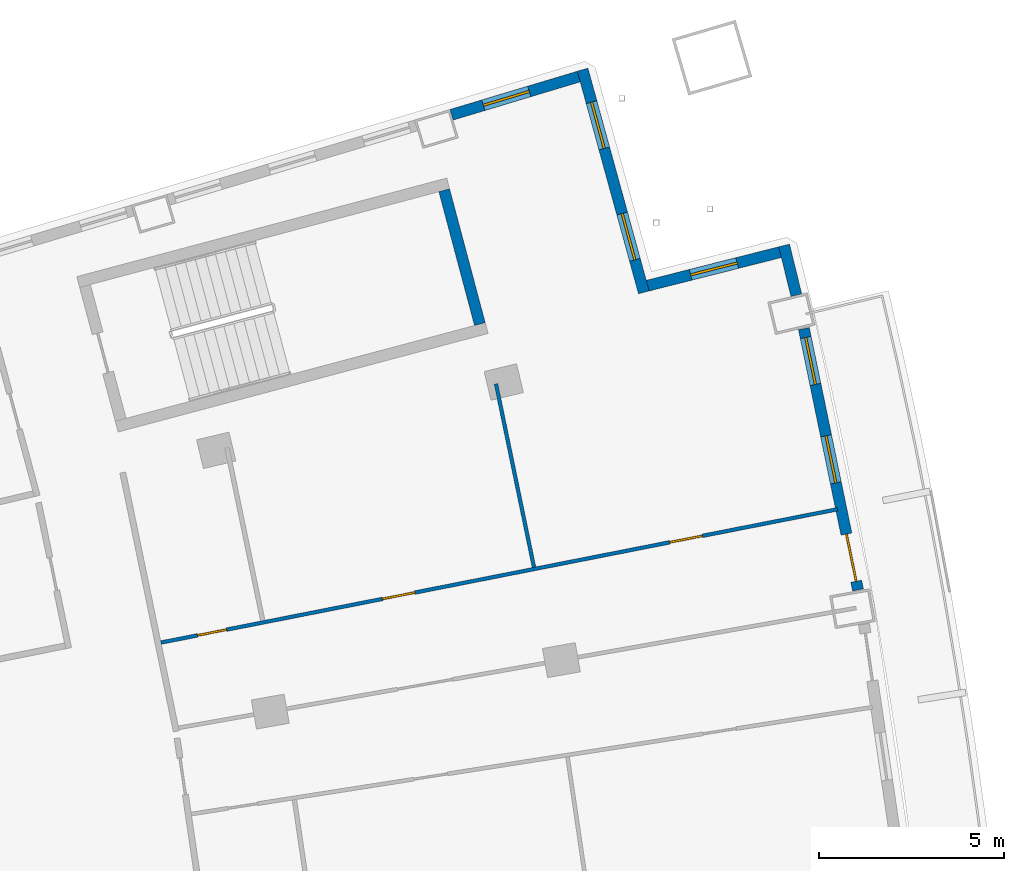
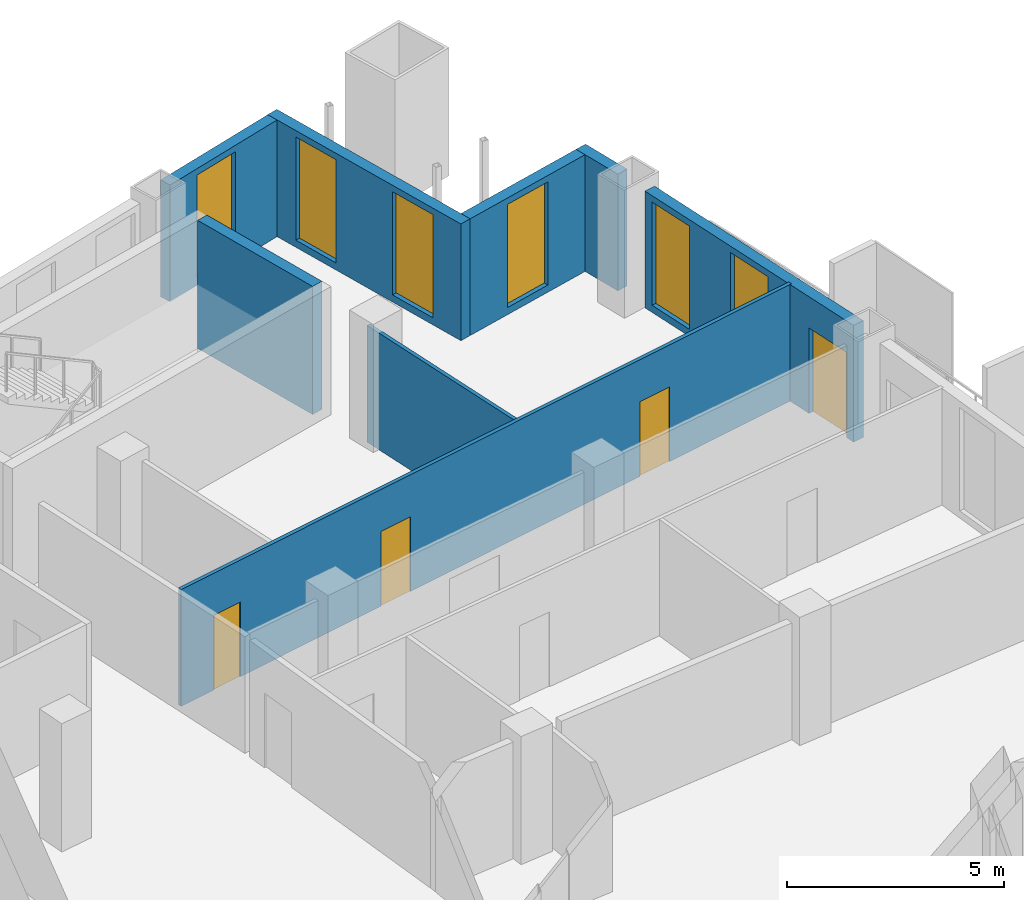
# One storey, part 16 of 20: 8 walls, 6 windows, 4 doors, 10 openings.
"""IFC4 building model written with IfcOpenShell, lengths in metres."""

from ifc_helpers import new_model, si_unit, direction, frame, frame_2d, origin, place, context, subcontext, project, spatial, rectangle, extrude, material, layer, layer_set, type_object, element, fill, save


model = new_model("IFC4")

# Units and contexts
model_context = context("Model", 3, precision=1e-05, world=origin(), true_north=direction((0.0, 1.0)))
body_context = subcontext(model_context, "Body", "Model", "MODEL_VIEW")
ifc_project = project(units=[si_unit("LENGTHUNIT", "METRE"), si_unit("AREAUNIT", "SQUARE_METRE"), si_unit("VOLUMEUNIT", "CUBIC_METRE"), si_unit("PLANEANGLEUNIT", "RADIAN"), si_unit("MASSUNIT", "GRAM", prefix="KILO")], contexts=[model_context])

# Site, building, storey
site_placement = place(None, origin())
site = spatial("IfcSite", under=ifc_project, at=site_placement, CompositionType="ELEMENT")
building_placement = place(site_placement, origin())
building = spatial("IfcBuilding", under=site, at=building_placement, Name="Alderwake Tower", CompositionType="ELEMENT")
storey_placement = place(building_placement, frame((0.0, 0.0, 153.199951171875)))
storey = spatial("IfcBuildingStorey", under=building, at=storey_placement, Name="L37", CompositionType="ELEMENT", Elevation=153.199951171875)

# Wall
ifc_material_1 = material(Name="Concrete C70/85", Category="concrete")
ifc_layer_1 = layer(ifc_material_1, 0.300048828125)
ifc_layer_set_1 = layer_set([ifc_layer_1], Name="Core wall stair enclosure 300 C70-85")
wall_type_1 = type_object("IfcWallType", Name="Core wall stair enclosure 300 C70-85", PredefinedType="SHEAR", material=ifc_layer_set_1)
wall_1_placement = place(storey_placement, frame((47.581298828125, 93.041748046875, 0.0), z_axis=(0.0, 0.0, 1.0), x_axis=(-0.257366821694, 0.966313778796, 0.0)))
element("IfcWall", 1, at=wall_1_placement, inside=storey, type_object=wall_type_1, Name="Core wall CW.081", PredefinedType="SHEAR", context=body_context, shape_type="SweptSolid", body=[
    extrude(rectangle(XDim=3.749755859375, YDim=0.300048828125, at=frame_2d((1.875, 0.0))), origin(), (0.0, 0.0, 1.0), 3.60009765625),
])

# Wall, openings, door, windows
ifc_material_2 = material(Name="Precast concrete C50/60 spandrel panel", Category="concrete")
ifc_layer_2 = layer(ifc_material_2, 0.300048828125)
ifc_layer_set_2 = layer_set([ifc_layer_2], Name="External wall EW1 Precast concrete C50/60 spandrel")
wall_type_2 = type_object("IfcWallType", Name="External wall EW1 Precast concrete C50/60 spandrel", PredefinedType="SOLIDWALL", material=ifc_layer_set_2)
wall_2_placement = place(storey_placement, frame((57.81494140625, 85.84716796875, 0.0), z_axis=(0.0, 0.0, 1.0), x_axis=(-0.202762098715, 0.979228028257, 0.0)))
wall_2 = element("IfcWall", 2, at=wall_2_placement, inside=storey, type_object=wall_type_2, Name="External wall 19", PredefinedType="SOLIDWALL", context=body_context, shape_type="SweptSolid", body=[
    extrude(rectangle(XDim=7.221923828125, YDim=0.300048828125, at=frame_2d((3.61083984375, 0.0))), origin(), (0.0, 0.0, 1.0), 3.280029296875),
])
opening_1_placement = place(wall_2_placement, frame((0.2431640625, 0.0, 0.0)))
opening_1 = element("IfcOpeningElement", 3, at=opening_1_placement, cuts=wall_2, Name="Opening D08", PredefinedType="OPENING", context=body_context, shape_type="SweptSolid", body=[
    extrude(rectangle(XDim=1.300048828125, YDim=2.39990234375, at=frame_2d((0.64990234375, 1.199951171875))), frame((0.0, 0.159912109375, 0.0), z_axis=(0.0, -1.0, 0.0), x_axis=(1.0, 0.0, 0.0)), (0.0, 0.0, 1.0), 0.320068359375),
])
opening_2_placement = place(wall_2_placement, frame((2.961181640625, 0.0, 0.199951171875)))
opening_2 = element("IfcOpeningElement", 4, at=opening_2_placement, cuts=wall_2, Name="Opening W1", PredefinedType="OPENING", context=body_context, shape_type="SweptSolid", body=[
    extrude(rectangle(XDim=1.300048828125, YDim=2.89990234375, at=frame_2d((0.64990234375, 1.449951171875))), frame((0.0, 0.159912109375, 0.0), z_axis=(0.0, -1.0, 0.0), x_axis=(1.0, 0.0, 0.0)), (0.0, 0.0, 1.0), 0.320068359375),
])
opening_3_placement = place(wall_2_placement, frame((5.678955078125, 0.0, 0.199951171875)))
opening_3 = element("IfcOpeningElement", 5, at=opening_3_placement, cuts=wall_2, Name="Opening W1", PredefinedType="OPENING", context=body_context, shape_type="SweptSolid", body=[
    extrude(rectangle(XDim=1.300048828125, YDim=2.89990234375, at=frame_2d((0.64990234375, 1.449951171875))), frame((0.0, 0.159912109375, 0.0), z_axis=(0.0, -1.0, 0.0), x_axis=(1.0, 0.0, 0.0)), (0.0, 0.0, 1.0), 0.320068359375),
])
ifc_material_3 = material(Name="Bronze tinted glass in aluminium frame", Category="aluminium")
door_type_1 = type_object("IfcDoorType", Name="Balcony door BD sliding", OperationType="SLIDING_TO_LEFT", PredefinedType="DOOR", material=ifc_material_3)
door_1_placement = place(opening_1_placement, origin())
door_1 = element("IfcDoor", 6, at=door_1_placement, inside=storey, type_object=door_type_1, Name="Door D08", OperationType="SLIDING_TO_LEFT", OverallHeight=2.39990234375, OverallWidth=1.300048828125, PredefinedType="DOOR", context=body_context, shape_type="SweptSolid", body=[
    extrude(rectangle(XDim=1.300048828125, YDim=2.39990234375, at=frame_2d((0.64990234375, 1.199951171875))), frame((0.0, 0.02490234375, 0.0), z_axis=(0.0, -1.0, 0.0), x_axis=(1.0, 0.0, 0.0)), (0.0, 0.0, 1.0), 0.050048828125),
])
fill(opening_1, door_1)
ifc_material_4 = material(Name="Bronze tinted glass in aluminium frame", Category="aluminium")
window_type = type_object("IfcWindowType", Name="Window W1 tall fixed and vent", PartitioningType="DOUBLE_PANEL_VERTICAL", PredefinedType="WINDOW", material=ifc_material_4)
window_1_placement = place(opening_2_placement, origin())
window_1 = element("IfcWindow", 7, at=window_1_placement, inside=storey, type_object=window_type, Name="Window W1 tall fixed and vent", OverallHeight=2.89990234375, OverallWidth=1.300048828125, PartitioningType="DOUBLE_PANEL_VERTICAL", PredefinedType="WINDOW", context=body_context, shape_type="SweptSolid", body=[
    extrude(rectangle(XDim=1.300048828125, YDim=2.89990234375, at=frame_2d((0.64990234375, 1.449951171875))), frame((0.0, 0.030029296875, 0.0), z_axis=(0.0, -1.0, 0.0), x_axis=(1.0, 0.0, 0.0)), (0.0, 0.0, 1.0), 0.06005859375),
])
fill(opening_2, window_1)
window_2_placement = place(opening_3_placement, origin())
window_2 = element("IfcWindow", 8, at=window_2_placement, inside=storey, type_object=window_type, Name="Window W1 tall fixed and vent", OverallHeight=2.89990234375, OverallWidth=1.300048828125, PartitioningType="DOUBLE_PANEL_VERTICAL", PredefinedType="WINDOW", context=body_context, shape_type="SweptSolid", body=[
    extrude(rectangle(XDim=1.300048828125, YDim=2.89990234375, at=frame_2d((0.64990234375, 1.449951171875))), frame((0.0, 0.030029296875, 0.0), z_axis=(0.0, -1.0, 0.0), x_axis=(1.0, 0.0, 0.0)), (0.0, 0.0, 1.0), 0.06005859375),
])
fill(opening_3, window_2)

# Wall
wall_3_placement = place(storey_placement, frame((56.14599609375, 93.8251953125, 0.0), z_axis=(0.0, 0.0, 1.0), x_axis=(-0.238224661371, 0.97121007548, 0.0)))
element("IfcWall", 9, at=wall_3_placement, inside=storey, type_object=wall_type_2, Name="External wall 20", PredefinedType="SOLIDWALL", context=body_context, shape_type="SweptSolid", body=[
    extrude(rectangle(XDim=1.38671875, YDim=0.300048828125, at=frame_2d((0.693359375, 0.0))), origin(), (0.0, 0.0, 1.0), 3.280029296875),
])

# Wall, opening, window
ifc_material_5 = material(Name="Bronze metal cladding on lightweight framing")
ifc_layer_3 = layer(ifc_material_5, 0.300048828125)
ifc_layer_set_3 = layer_set([ifc_layer_3], Name="External wall EW2 bronze metal cladding")
wall_type_3 = type_object("IfcWallType", Name="External wall EW2 bronze metal cladding", PredefinedType="SOLIDWALL", material=ifc_layer_set_3)
wall_4_placement = place(storey_placement, frame((55.7060546875, 94.989501953125, 0.0), z_axis=(0.0, 0.0, 1.0), x_axis=(-0.969426922046, -0.245380200529, 0.0)))
wall_4 = element("IfcWall", 10, at=wall_4_placement, inside=storey, type_object=wall_type_3, Name="External wall 21", PredefinedType="SOLIDWALL", context=body_context, shape_type="SweptSolid", body=[
    extrude(rectangle(XDim=3.6943359375, YDim=0.300048828125, at=frame_2d((1.84716796875, 0.0))), origin(), (0.0, 0.0, 1.0), 3.280029296875),
])
opening_4_placement = place(wall_4_placement, frame((1.197021484375, 0.0, 0.199951171875)))
opening_4 = element("IfcOpeningElement", 11, at=opening_4_placement, cuts=wall_4, Name="Opening W1", PredefinedType="OPENING", context=body_context, shape_type="SweptSolid", body=[
    extrude(rectangle(XDim=1.300048828125, YDim=2.89990234375, at=frame_2d((0.64990234375, 1.449951171875))), frame((0.0, 0.159912109375, 0.0), z_axis=(0.0, -1.0, 0.0), x_axis=(1.0, 0.0, 0.0)), (0.0, 0.0, 1.0), 0.320068359375),
])
window_3_placement = place(opening_4_placement, origin())
window_3 = element("IfcWindow", 12, at=window_3_placement, inside=storey, type_object=window_type, Name="Window W1 tall fixed and vent", OverallHeight=2.89990234375, OverallWidth=1.300048828125, PartitioningType="DOUBLE_PANEL_VERTICAL", PredefinedType="WINDOW", context=body_context, shape_type="SweptSolid", body=[
    extrude(rectangle(XDim=1.300048828125, YDim=2.89990234375, at=frame_2d((0.64990234375, 1.449951171875))), frame((0.0, 0.030029296875, 0.0), z_axis=(0.0, -1.0, 0.0), x_axis=(1.0, 0.0, 0.0)), (0.0, 0.0, 1.0), 0.06005859375),
])
fill(opening_4, window_3)

# Wall, openings, windows
wall_5_placement = place(storey_placement, frame((52.01904296875, 93.901611328125, 0.0), z_axis=(0.0, 0.0, 1.0), x_axis=(-0.265092944452, 0.964222863659, 0.0)))
wall_5 = element("IfcWall", 13, at=wall_5_placement, inside=storey, type_object=wall_type_3, Name="External wall 22", PredefinedType="SOLIDWALL", context=body_context, shape_type="SweptSolid", body=[
    extrude(rectangle(XDim=6.25146484375, YDim=0.300048828125, at=frame_2d((3.125732421875, 0.0))), origin(), (0.0, 0.0, 1.0), 3.280029296875),
])
opening_5_placement = place(wall_5_placement, frame((0.912841796875, 0.0, 0.199951171875)))
opening_5 = element("IfcOpeningElement", 14, at=opening_5_placement, cuts=wall_5, Name="Opening W1", PredefinedType="OPENING", context=body_context, shape_type="SweptSolid", body=[
    extrude(rectangle(XDim=1.300048828125, YDim=2.89990234375, at=frame_2d((0.64990234375, 1.449951171875))), frame((0.0, 0.159912109375, 0.0), z_axis=(0.0, -1.0, 0.0), x_axis=(1.0, 0.0, 0.0)), (0.0, 0.0, 1.0), 0.320068359375),
])
opening_6_placement = place(wall_5_placement, frame((4.038818359375, 0.0, 0.199951171875)))
opening_6 = element("IfcOpeningElement", 15, at=opening_6_placement, cuts=wall_5, Name="Opening W1", PredefinedType="OPENING", context=body_context, shape_type="SweptSolid", body=[
    extrude(rectangle(XDim=1.300048828125, YDim=2.89990234375, at=frame_2d((0.64990234375, 1.449951171875))), frame((0.0, 0.159912109375, 0.0), z_axis=(0.0, -1.0, 0.0), x_axis=(1.0, 0.0, 0.0)), (0.0, 0.0, 1.0), 0.320068359375),
])
window_4_placement = place(opening_5_placement, origin())
window_4 = element("IfcWindow", 16, at=window_4_placement, inside=storey, type_object=window_type, Name="Window W1 tall fixed and vent", OverallHeight=2.89990234375, OverallWidth=1.300048828125, PartitioningType="DOUBLE_PANEL_VERTICAL", PredefinedType="WINDOW", context=body_context, shape_type="SweptSolid", body=[
    extrude(rectangle(XDim=1.300048828125, YDim=2.89990234375, at=frame_2d((0.64990234375, 1.449951171875))), frame((0.0, 0.030029296875, 0.0), z_axis=(0.0, -1.0, 0.0), x_axis=(1.0, 0.0, 0.0)), (0.0, 0.0, 1.0), 0.06005859375),
])
fill(opening_5, window_4)
window_5_placement = place(opening_6_placement, origin())
window_5 = element("IfcWindow", 17, at=window_5_placement, inside=storey, type_object=window_type, Name="Window W1 tall fixed and vent", OverallHeight=2.89990234375, OverallWidth=1.300048828125, PartitioningType="DOUBLE_PANEL_VERTICAL", PredefinedType="WINDOW", context=body_context, shape_type="SweptSolid", body=[
    extrude(rectangle(XDim=1.300048828125, YDim=2.89990234375, at=frame_2d((0.64990234375, 1.449951171875))), frame((0.0, 0.030029296875, 0.0), z_axis=(0.0, -1.0, 0.0), x_axis=(1.0, 0.0, 0.0)), (0.0, 0.0, 1.0), 0.06005859375),
])
fill(opening_6, window_5)

# Wall, opening, window
wall_6_placement = place(storey_placement, frame((50.2578125, 99.74169921875, 0.0), z_axis=(0.0, 0.0, 1.0), x_axis=(-0.957758994148, -0.287572093792, 0.0)))
wall_6 = element("IfcWall", 18, at=wall_6_placement, inside=storey, type_object=wall_type_3, Name="External wall 23", PredefinedType="SOLIDWALL", context=body_context, shape_type="SweptSolid", body=[
    extrude(rectangle(XDim=3.59619140625, YDim=0.300048828125, at=frame_2d((1.798095703125, 0.0))), origin(), (0.0, 0.0, 1.0), 3.280029296875),
])
opening_7_placement = place(wall_6_placement, frame((1.39892578125, 0.0, 0.199951171875)))
opening_7 = element("IfcOpeningElement", 19, at=opening_7_placement, cuts=wall_6, Name="Opening W1", PredefinedType="OPENING", context=body_context, shape_type="SweptSolid", body=[
    extrude(rectangle(XDim=1.300048828125, YDim=2.89990234375, at=frame_2d((0.64990234375, 1.449951171875))), frame((0.0, 0.159912109375, 0.0), z_axis=(0.0, -1.0, 0.0), x_axis=(1.0, 0.0, 0.0)), (0.0, 0.0, 1.0), 0.320068359375),
])
window_6_placement = place(opening_7_placement, origin())
window_6 = element("IfcWindow", 20, at=window_6_placement, inside=storey, type_object=window_type, Name="Window W1 tall fixed and vent", OverallHeight=2.89990234375, OverallWidth=1.300048828125, PartitioningType="DOUBLE_PANEL_VERTICAL", PredefinedType="WINDOW", context=body_context, shape_type="SweptSolid", body=[
    extrude(rectangle(XDim=1.300048828125, YDim=2.89990234375, at=frame_2d((0.64990234375, 1.449951171875))), frame((0.0, 0.030029296875, 0.0), z_axis=(0.0, -1.0, 0.0), x_axis=(1.0, 0.0, 0.0)), (0.0, 0.0, 1.0), 0.06005859375),
])
fill(opening_7, window_6)

# Wall, openings, doors
ifc_material_6 = material(Name="Gypsum board on metal studs")
ifc_layer_4 = layer(ifc_material_6, 0.10009765625)
ifc_layer_set_4 = layer_set([ifc_layer_4], Name="Unit partition 100")
wall_type_4 = type_object("IfcWallType", Name="Unit partition 100", PredefinedType="PARTITIONING", material=ifc_layer_set_4)
wall_7_placement = place(storey_placement, frame((38.949462890625, 84.423583984375, 0.0), z_axis=(0.0, 0.0, 1.0), x_axis=(0.981132184997, 0.193338137889, 0.0)))
wall_7 = element("IfcWall", 21, at=wall_7_placement, inside=storey, type_object=wall_type_4, Name="WL/L37/W43", PredefinedType="PARTITIONING", context=body_context, shape_type="SweptSolid", body=[
    extrude(rectangle(XDim=18.66357421875, YDim=0.10009765625, at=frame_2d((9.331787109375, 0.0))), origin(), (0.0, 0.0, 1.0), 3.280029296875),
])
opening_8_placement = place(wall_7_placement, frame((6.1103515625, 0.0, 0.0)))
opening_8 = element("IfcOpeningElement", 22, at=opening_8_placement, cuts=wall_7, Name="Opening R10-U07.5", PredefinedType="OPENING", context=body_context, shape_type="SweptSolid", body=[
    extrude(rectangle(XDim=0.89990234375, YDim=2.10009765625, at=frame_2d((0.449951171875, 1.050048828125))), frame((0.0, 0.06005859375, 0.0), z_axis=(0.0, -1.0, 0.0), x_axis=(1.0, 0.0, 0.0)), (0.0, 0.0, 1.0), 0.1201171875),
])
opening_9_placement = place(wall_7_placement, frame((1.009521484375, 0.0, 0.0)))
opening_9 = element("IfcOpeningElement", 23, at=opening_9_placement, cuts=wall_7, Name="Opening R10-U07.6", PredefinedType="OPENING", context=body_context, shape_type="SweptSolid", body=[
    extrude(rectangle(XDim=0.800048828125, YDim=2.10009765625, at=frame_2d((0.39990234375, 1.050048828125))), frame((0.0, 0.06005859375, 0.0), z_axis=(0.0, -1.0, 0.0), x_axis=(1.0, 0.0, 0.0)), (0.0, 0.0, 1.0), 0.1201171875),
])
opening_10_placement = place(wall_7_placement, frame((14.031982421875, 0.0, 0.0)))
opening_10 = element("IfcOpeningElement", 24, at=opening_10_placement, cuts=wall_7, Name="Opening R10-U07.7", PredefinedType="OPENING", context=body_context, shape_type="SweptSolid", body=[
    extrude(rectangle(XDim=0.89990234375, YDim=2.10009765625, at=frame_2d((0.449951171875, 1.050048828125))), frame((0.0, 0.06005859375, 0.0), z_axis=(0.0, -1.0, 0.0), x_axis=(1.0, 0.0, 0.0)), (0.0, 0.0, 1.0), 0.1201171875),
])
ifc_material_7 = material(Name="Painted timber leaf", Category="wood")
door_type_2 = type_object("IfcDoorType", Name="Bathroom door 800", OperationType="SINGLE_SWING_LEFT", PredefinedType="DOOR", material=ifc_material_7)
door_2_placement = place(opening_9_placement, origin())
door_2 = element("IfcDoor", 25, at=door_2_placement, inside=storey, type_object=door_type_2, Name="DR/L37/U07.6", OperationType="SINGLE_SWING_LEFT", OverallHeight=2.10009765625, OverallWidth=0.800048828125, PredefinedType="DOOR", context=body_context, shape_type="SweptSolid", body=[
    extrude(rectangle(XDim=0.800048828125, YDim=2.10009765625, at=frame_2d((0.39990234375, 1.050048828125))), frame((0.0, 0.02490234375, 0.0), z_axis=(0.0, -1.0, 0.0), x_axis=(1.0, 0.0, 0.0)), (0.0, 0.0, 1.0), 0.050048828125),
])
fill(opening_9, door_2)
ifc_material_8 = material(Name="Painted timber leaf", Category="wood")
door_type_3 = type_object("IfcDoorType", Name="Room door 900", OperationType="SINGLE_SWING_LEFT", PredefinedType="DOOR", material=ifc_material_8)
door_3_placement = place(opening_8_placement, origin())
door_3 = element("IfcDoor", 26, at=door_3_placement, inside=storey, type_object=door_type_3, Name="DR/L37/U07.5", OperationType="SINGLE_SWING_LEFT", OverallHeight=2.10009765625, OverallWidth=0.89990234375, PredefinedType="DOOR", context=body_context, shape_type="SweptSolid", body=[
    extrude(rectangle(XDim=0.89990234375, YDim=2.10009765625, at=frame_2d((0.449951171875, 1.050048828125))), frame((0.0, 0.02490234375, 0.0), z_axis=(0.0, -1.0, 0.0), x_axis=(1.0, 0.0, 0.0)), (0.0, 0.0, 1.0), 0.050048828125),
])
fill(opening_8, door_3)
door_4_placement = place(opening_10_placement, origin())
door_4 = element("IfcDoor", 27, at=door_4_placement, inside=storey, type_object=door_type_3, Name="DR/L37/U07.7", OperationType="SINGLE_SWING_LEFT", OverallHeight=2.10009765625, OverallWidth=0.89990234375, PredefinedType="DOOR", context=body_context, shape_type="SweptSolid", body=[
    extrude(rectangle(XDim=0.89990234375, YDim=2.10009765625, at=frame_2d((0.449951171875, 1.050048828125))), frame((0.0, 0.02490234375, 0.0), z_axis=(0.0, -1.0, 0.0), x_axis=(1.0, 0.0, 0.0)), (0.0, 0.0, 1.0), 0.050048828125),
])
fill(opening_10, door_4)

# Wall
wall_8_placement = place(storey_placement, frame((49.0458984375, 86.464111328125, 0.0), z_axis=(0.0, 0.0, 1.0), x_axis=(-0.202876488764, 0.979204335319, 0.0)))
element("IfcWall", 28, at=wall_8_placement, inside=storey, type_object=wall_type_4, Name="WL/L37/W48", PredefinedType="PARTITIONING", context=body_context, shape_type="SweptSolid", body=[
    extrude(rectangle(XDim=5.06640625, YDim=0.10009765625, at=frame_2d((2.533203125, 0.0))), origin(), (0.0, 0.0, 1.0), 3.280029296875),
])

save(model, "model.ifc")
